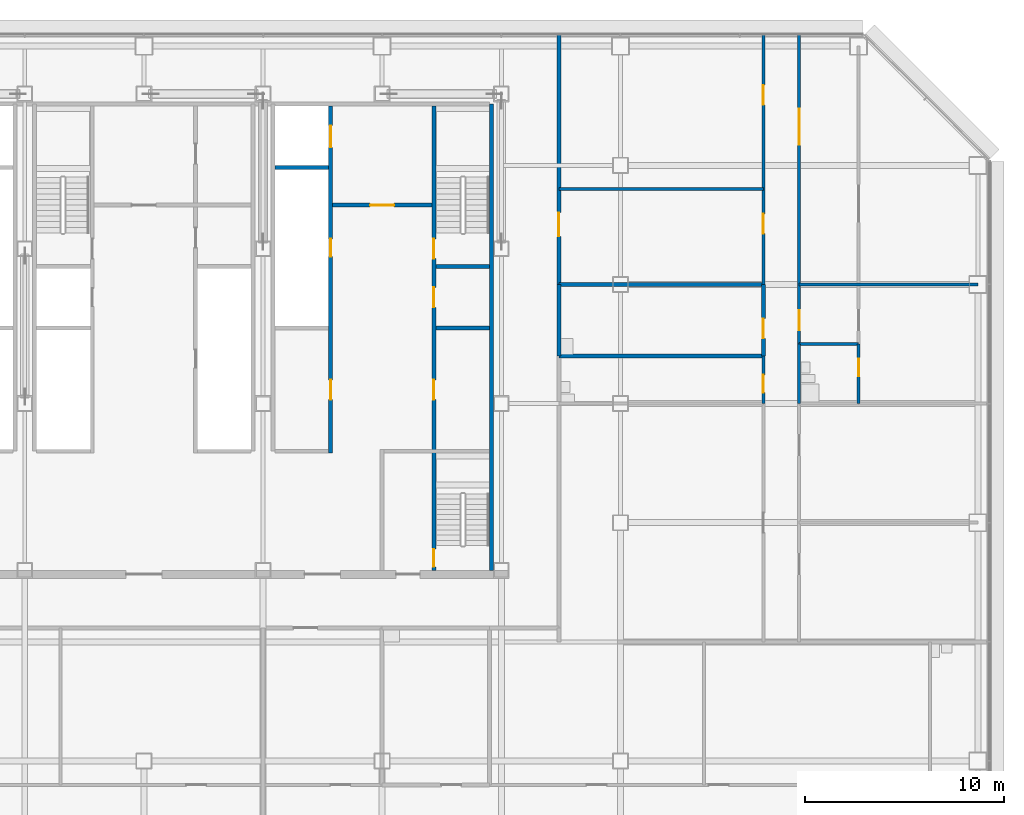
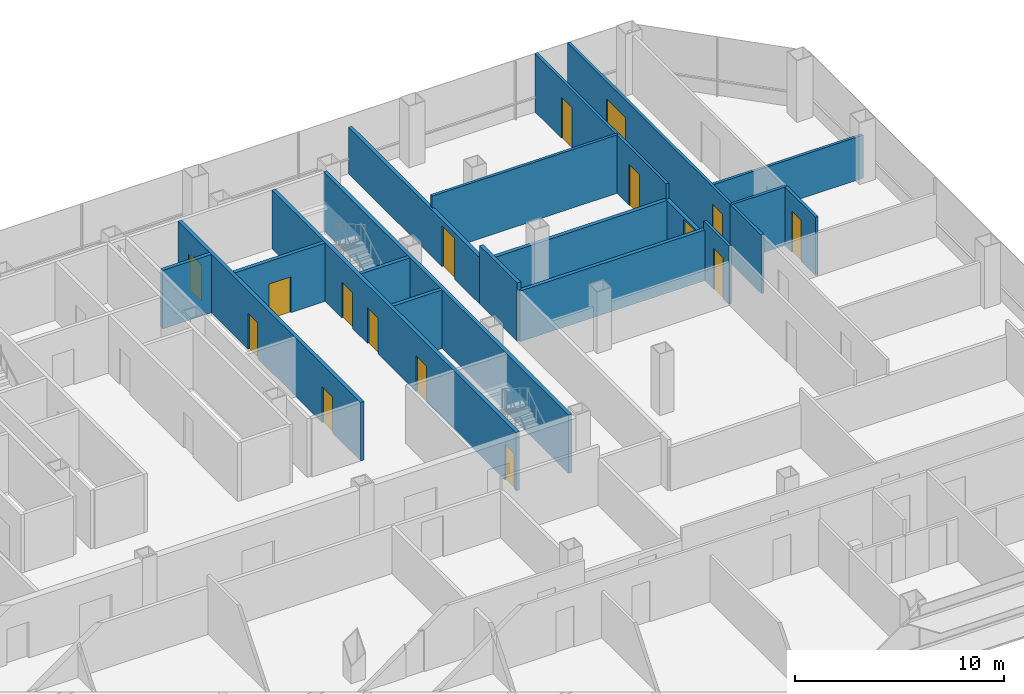
# One storey, part 23 of 27: 20 walls, 16 doors, 16 openings.
"""IFC4 building model written with IfcOpenShell, lengths in metres."""

from ifc_helpers import new_model, si_unit, direction, frame, frame_2d, origin, place, context, subcontext, project, spatial, rectangle, extrude, material, layer, layer_set, type_object, element, fill, save


model = new_model("IFC4")

# Units and contexts
model_context = context("Model", 3, precision=1e-05, world=origin(), true_north=direction((0.0, 1.0)))
body_context = subcontext(model_context, "Body", "Model", "MODEL_VIEW")
ifc_project = project(units=[si_unit("LENGTHUNIT", "METRE"), si_unit("AREAUNIT", "SQUARE_METRE"), si_unit("VOLUMEUNIT", "CUBIC_METRE"), si_unit("PLANEANGLEUNIT", "RADIAN"), si_unit("MASSUNIT", "GRAM", prefix="KILO")], contexts=[model_context])

# Site, building, storey
site_placement = place(None, origin())
site = spatial("IfcSite", under=ifc_project, at=site_placement, CompositionType="ELEMENT")
building_placement = place(site_placement, origin())
building = spatial("IfcBuilding", under=site, at=building_placement, Name="Sorahane Residences", CompositionType="ELEMENT")
storey_placement = place(building_placement, frame((0.0, 0.0, 78.60009765625)))
storey = spatial("IfcBuildingStorey", under=building, at=storey_placement, Name="L16", CompositionType="ELEMENT", Elevation=78.60009765625)

# Wall
ifc_material_1 = material(Name="Concrete C30", Category="concrete")
ifc_layer_1 = layer(ifc_material_1, 0.199951171875)
ifc_layer_set_1 = layer_set([ifc_layer_1], Name="Core face wall 200 EI 180")
wall_type_1 = type_object("IfcWallType", Name="Core face wall 200 EI 180", PredefinedType="SOLIDWALL", material=ifc_layer_set_1)
wall_1_placement = place(storey_placement, frame((41.5, 21.60009765625, 0.0), z_axis=(0.0, 0.0, 1.0), x_axis=(0.0, 1.0, 0.0)))
element("IfcWall", 1, at=wall_1_placement, inside=storey, type_object=wall_type_1, Name="L16 core face wall", PredefinedType="SOLIDWALL", context=body_context, shape_type="SweptSolid", body=[
    extrude(rectangle(XDim=23.5, YDim=0.199951171875, at=frame_2d((11.75, 0.0))), origin(), (0.0, 0.0, 1.0), 3.419921875),
])

# Wall, opening, door
ifc_material_2 = material(Name="Concrete blockwork C20 wall", Category="masonry")
ifc_layer_2 = layer(ifc_material_2, 0.199951171875)
ifc_layer_set_2 = layer_set([ifc_layer_2], Name="Corridor wall 200 EI 120")
wall_type_2 = type_object("IfcWallType", Name="Corridor wall 200 EI 120", PredefinedType="SOLIDWALL", material=ifc_layer_set_2)
wall_2_placement = place(storey_placement, frame((44.89990234375, 36.0, 0.0), z_axis=(0.0, 0.0, 1.0), x_axis=(0.0, 1.0, 0.0)))
wall_2 = element("IfcWall", 2, at=wall_2_placement, inside=storey, type_object=wall_type_2, Name="L16 corridor wall", PredefinedType="SOLIDWALL", context=body_context, shape_type="SweptSolid", body=[
    extrude(rectangle(XDim=12.60009765625, YDim=0.199951171875, at=frame_2d((6.300048828125, 0.0))), origin(), (0.0, 0.0, 1.0), 2.719970703125),
])
opening_1_placement = place(wall_2_placement, frame((2.419921875, 0.0, 0.0)))
opening_1 = element("IfcOpeningElement", 3, at=opening_1_placement, cuts=wall_2, Name="Opening L16-40", PredefinedType="OPENING", context=body_context, shape_type="SweptSolid", body=[
    extrude(rectangle(XDim=1.199951171875, YDim=2.39990234375, at=frame_2d((0.60009765625, 1.199951171875))), frame((0.0, 0.10986328125, 0.0), z_axis=(0.0, -1.0, 0.0), x_axis=(1.0, 0.0, 0.0)), (0.0, 0.0, 1.0), 0.219970703125),
])
ifc_material_3 = material(Name="Timber veneered fire door", Category="wood")
door_type_1 = type_object("IfcDoorType", Name="Flat entrance door 1200x2400 FD60", OperationType="NOTDEFINED", PredefinedType="DOOR", material=ifc_material_3)
door_1_placement = place(opening_1_placement, frame((1.199951171875, 0.0, 0.0), z_axis=(0.0, 0.0, 1.0), x_axis=(-1.0, 0.0, 0.0)))
door_1 = element("IfcDoor", 4, at=door_1_placement, inside=storey, type_object=door_type_1, Name="Flat entrance door L16-40", OperationType="SINGLE_SWING_LEFT", OverallHeight=2.39990234375, OverallWidth=1.199951171875, PredefinedType="DOOR", context=body_context, shape_type="SweptSolid", body=[
    extrude(rectangle(XDim=1.199951171875, YDim=2.39990234375, at=frame_2d((0.60009765625, 1.199951171875))), frame((0.0, 0.02490234375, 0.0), z_axis=(0.0, -1.0, 0.0), x_axis=(1.0, 0.0, 0.0)), (0.0, 0.0, 1.0), 0.050048828125),
])
fill(opening_1, door_1)

ifc_material_4 = material(Name="Concrete C30", Category="concrete")
ifc_layer_3 = layer(ifc_material_4, 0.199951171875)
ifc_layer_set_3 = layer_set([ifc_layer_3], Name="Front room wall 200 EI 120")
wall_type_3 = type_object("IfcWallType", Name="Front room wall 200 EI 120", PredefinedType="PARTITIONING", material=ifc_layer_set_3)
wall_3_placement = place(storey_placement, frame((33.5, 40.0, 0.0), z_axis=(0.0, 0.0, 1.0), x_axis=(1.0, 0.0, 0.0)))
wall_3 = element("IfcWall", 5, at=wall_3_placement, inside=storey, type_object=wall_type_3, Name="L16 front room wall", PredefinedType="PARTITIONING", context=body_context, shape_type="SweptSolid", body=[
    extrude(rectangle(XDim=5.0, YDim=0.199951171875, at=frame_2d((2.5, 0.0))), origin(), (0.0, 0.0, 1.0), 3.419921875),
])
opening_2_placement = place(wall_3_placement, frame((1.89990234375, 0.0, 0.0)))
opening_2 = element("IfcOpeningElement", 6, at=opening_2_placement, cuts=wall_3, Name="Opening L16-C08", PredefinedType="OPENING", context=body_context, shape_type="SweptSolid", body=[
    extrude(rectangle(XDim=1.199951171875, YDim=2.10009765625, at=frame_2d((0.60009765625, 1.050048828125))), frame((0.0, 0.10986328125, 0.0), z_axis=(0.0, -1.0, 0.0), x_axis=(1.0, 0.0, 0.0)), (0.0, 0.0, 1.0), 0.219970703125),
])
ifc_material_5 = material(Name="Steel", Category="steel")
door_type_2 = type_object("IfcDoorType", Name="Front room door 1200x2100 FD120", OperationType="NOTDEFINED", PredefinedType="DOOR", material=ifc_material_5)
door_2_placement = place(opening_2_placement, frame((1.199951171875, 0.0, 0.0), z_axis=(0.0, 0.0, 1.0), x_axis=(-1.0, 0.0, 0.0)))
door_2 = element("IfcDoor", 7, at=door_2_placement, inside=storey, type_object=door_type_2, Name="Front room door Firefighting lobby FF2 front room L16", OperationType="DOUBLE_DOOR_SINGLE_SWING", OverallHeight=2.10009765625, OverallWidth=1.199951171875, PredefinedType="DOOR", context=body_context, shape_type="SweptSolid", body=[
    extrude(rectangle(XDim=1.199951171875, YDim=2.10009765625, at=frame_2d((0.60009765625, 1.050048828125))), frame((0.0, 0.02490234375, 0.0), z_axis=(0.0, -1.0, 0.0), x_axis=(1.0, 0.0, 0.0)), (0.0, 0.0, 1.0), 0.050048828125),
])
fill(opening_2, door_2)

# Wall
ifc_material_6 = material(Name="Concrete blockwork C20 wall", Category="masonry")
ifc_layer_4 = layer(ifc_material_6, 0.199951171875)
ifc_layer_set_4 = layer_set([ifc_layer_4], Name="Kitchen wall 200 EI 180")
wall_type_4 = type_object("IfcWallType", Name="Kitchen wall 200 EI 180", PredefinedType="SOLIDWALL", material=ifc_layer_set_4)
wall_4_placement = place(storey_placement, frame((44.89990234375, 32.39990234375, 0.0), z_axis=(0.0, 0.0, 1.0), x_axis=(0.0, 1.0, 0.0)))
element("IfcWall", 8, at=wall_4_placement, inside=storey, type_object=wall_type_4, Name="L16 kitchen wall", PredefinedType="SOLIDWALL", context=body_context, shape_type="SweptSolid", body=[
    extrude(rectangle(XDim=3.60009765625, YDim=0.199951171875, at=frame_2d((1.800048828125, 0.0))), origin(), (0.0, 0.0, 1.0), 3.419921875),
])

# Wall, opening, door
wall_5_placement = place(storey_placement, frame((55.199951171875, 32.39990234375, 0.0), z_axis=(0.0, 0.0, 1.0), x_axis=(0.0, 1.0, 0.0)))
wall_5 = element("IfcWall", 9, at=wall_5_placement, inside=storey, type_object=wall_type_4, Name="L16 kitchen wall", PredefinedType="SOLIDWALL", context=body_context, shape_type="SweptSolid", body=[
    extrude(rectangle(XDim=3.60009765625, YDim=0.199951171875, at=frame_2d((1.800048828125, 0.0))), origin(), (0.0, 0.0, 1.0), 2.52001953125),
])
opening_3_placement = place(wall_5_placement, frame((0.8798828125, 0.0, 0.0)))
opening_3 = element("IfcOpeningElement", 10, at=opening_3_placement, cuts=wall_5, Name="Opening L16-29", PredefinedType="OPENING", context=body_context, shape_type="SweptSolid", body=[
    extrude(rectangle(XDim=1.0, YDim=2.39990234375, at=frame_2d((0.5, 1.199951171875))), frame((0.0, 0.10986328125, 0.0), z_axis=(0.0, -1.0, 0.0), x_axis=(1.0, 0.0, 0.0)), (0.0, 0.0, 1.0), 0.219970703125),
])
ifc_material_7 = material(Name="Steel", Category="steel")
door_type_3 = type_object("IfcDoorType", Name="Kitchen door 1000x2400 FD120", OperationType="NOTDEFINED", PredefinedType="DOOR", material=ifc_material_7)
door_3_placement = place(opening_3_placement, origin())
door_3 = element("IfcDoor", 11, at=door_3_placement, inside=storey, type_object=door_type_3, Name="Kitchen door L16-29", OperationType="SINGLE_SWING_RIGHT", OverallHeight=2.39990234375, OverallWidth=1.0, PredefinedType="DOOR", context=body_context, shape_type="SweptSolid", body=[
    extrude(rectangle(XDim=1.0, YDim=2.39990234375, at=frame_2d((0.5, 1.199951171875))), frame((0.0, 0.02490234375, 0.0), z_axis=(0.0, -1.0, 0.0), x_axis=(1.0, 0.0, 0.0)), (0.0, 0.0, 1.0), 0.050048828125),
])
fill(opening_3, door_3)

# Walls
wall_6_placement = place(storey_placement, frame((44.89990234375, 32.39990234375, 0.0), z_axis=(0.0, 0.0, 1.0), x_axis=(1.0, 0.0, 0.0)))
element("IfcWall", 12, at=wall_6_placement, inside=storey, type_object=wall_type_4, Name="L16 kitchen wall", PredefinedType="SOLIDWALL", context=body_context, shape_type="SweptSolid", body=[
    extrude(rectangle(XDim=10.300048828125, YDim=0.199951171875, at=frame_2d((5.14990234375, 0.0))), origin(), (0.0, 0.0, 1.0), 2.969970703125),
])
wall_7_placement = place(storey_placement, frame((44.89990234375, 36.0, 0.0), z_axis=(0.0, 0.0, 1.0), x_axis=(1.0, 0.0, 0.0)))
element("IfcWall", 13, at=wall_7_placement, inside=storey, type_object=wall_type_4, Name="L16 kitchen wall", PredefinedType="SOLIDWALL", context=body_context, shape_type="SweptSolid", body=[
    extrude(rectangle(XDim=10.300048828125, YDim=0.199951171875, at=frame_2d((5.14990234375, 0.0))), origin(), (0.0, 0.0, 1.0), 2.52001953125),
])

# Wall, openings, doors
ifc_material_8 = material(Name="Concrete C30", Category="concrete")
ifc_layer_5 = layer(ifc_material_8, 0.199951171875)
ifc_layer_set_5 = layer_set([ifc_layer_5], Name="Lift shaft wall 200 EI 120")
wall_type_5 = type_object("IfcWallType", Name="Lift shaft wall 200 EI 120", PredefinedType="SOLIDWALL", material=ifc_layer_set_5)
wall_8_placement = place(storey_placement, frame((33.39990234375, 27.5, 0.0), z_axis=(0.0, 0.0, 1.0), x_axis=(0.0, 1.0, 0.0)))
wall_8 = element("IfcWall", 14, at=wall_8_placement, inside=storey, type_object=wall_type_5, Name="L16 lift shaft wall", PredefinedType="SOLIDWALL", context=body_context, shape_type="SweptSolid", body=[
    extrude(rectangle(XDim=17.5, YDim=0.199951171875, at=frame_2d((8.75, 0.0))), origin(), (0.0, 0.0, 1.0), 3.419921875),
])
opening_4_placement = place(wall_8_placement, frame((15.39990234375, 0.0, 0.0)))
opening_4 = element("IfcOpeningElement", 15, at=opening_4_placement, cuts=wall_8, Name="Opening L16-C09", PredefinedType="OPENING", context=body_context, shape_type="SweptSolid", body=[
    extrude(rectangle(XDim=1.10009765625, YDim=2.10009765625, at=frame_2d((0.550048828125, 1.050048828125))), frame((0.0, 0.10986328125, 0.0), z_axis=(0.0, -1.0, 0.0), x_axis=(1.0, 0.0, 0.0)), (0.0, 0.0, 1.0), 0.219970703125),
])
opening_5_placement = place(wall_8_placement, frame((2.699951171875, 0.0, 0.0)))
opening_5 = element("IfcOpeningElement", 16, at=opening_5_placement, cuts=wall_8, Name="Opening L16-C18", PredefinedType="OPENING", context=body_context, shape_type="SweptSolid", body=[
    extrude(rectangle(XDim=1.0, YDim=2.10009765625, at=frame_2d((0.5, 1.050048828125))), frame((0.0, 0.10986328125, 0.0), z_axis=(0.0, -1.0, 0.0), x_axis=(1.0, 0.0, 0.0)), (0.0, 0.0, 1.0), 0.219970703125),
])
opening_6_placement = place(wall_8_placement, frame((9.89990234375, 0.0, 0.0)))
opening_6 = element("IfcOpeningElement", 17, at=opening_6_placement, cuts=wall_8, Name="Opening L16-C25", PredefinedType="OPENING", context=body_context, shape_type="SweptSolid", body=[
    extrude(rectangle(XDim=0.89990234375, YDim=2.10009765625, at=frame_2d((0.449951171875, 1.050048828125))), frame((0.0, 0.10986328125, 0.0), z_axis=(0.0, -1.0, 0.0), x_axis=(1.0, 0.0, 0.0)), (0.0, 0.0, 1.0), 0.219970703125),
])
ifc_material_9 = material(Name="Aluminium and stainless steel", Category="steel")
door_type_4 = type_object("IfcDoorType", Name="Lift landing door 1100x2100 E 60", OperationType="NOTDEFINED", PredefinedType="DOOR", material=ifc_material_9)
door_4_placement = place(opening_4_placement, origin())
door_4 = element("IfcDoor", 18, at=door_4_placement, inside=storey, type_object=door_type_4, Name="Lift landing door FF2 L16", OperationType="DOUBLE_DOOR_SLIDING", OverallHeight=2.10009765625, OverallWidth=1.10009765625, PredefinedType="DOOR", context=body_context, shape_type="SweptSolid", body=[
    extrude(rectangle(XDim=1.10009765625, YDim=2.10009765625, at=frame_2d((0.550048828125, 1.050048828125))), frame((0.0, 0.02490234375, 0.0), z_axis=(0.0, -1.0, 0.0), x_axis=(1.0, 0.0, 0.0)), (0.0, 0.0, 1.0), 0.050048828125),
])
fill(opening_4, door_4)
ifc_material_10 = material(Name="Steel", Category="steel")
door_type_5 = type_object("IfcDoorType", Name="Riser door 900x2100 FD120", OperationType="NOTDEFINED", PredefinedType="DOOR", material=ifc_material_10)
door_5_placement = place(opening_6_placement, frame((0.89990234375, 0.0, 0.0), z_axis=(0.0, 0.0, 1.0), x_axis=(-1.0, 0.0, 0.0)))
door_5 = element("IfcDoor", 19, at=door_5_placement, inside=storey, type_object=door_type_5, Name="Riser door R2 L16", OperationType="SINGLE_SWING_LEFT", OverallHeight=2.10009765625, OverallWidth=0.89990234375, PredefinedType="DOOR", context=body_context, shape_type="SweptSolid", body=[
    extrude(rectangle(XDim=0.89990234375, YDim=2.10009765625, at=frame_2d((0.449951171875, 1.050048828125))), frame((0.0, 0.02490234375, 0.0), z_axis=(0.0, -1.0, 0.0), x_axis=(1.0, 0.0, 0.0)), (0.0, 0.0, 1.0), 0.050048828125),
])
fill(opening_6, door_5)
ifc_material_11 = material(Name="Steel", Category="steel")
door_type_6 = type_object("IfcDoorType", Name="Service room door 1000x2100 FD60", OperationType="NOTDEFINED", PredefinedType="DOOR", material=ifc_material_11)
door_6_placement = place(opening_5_placement, origin())
door_6 = element("IfcDoor", 20, at=door_6_placement, inside=storey, type_object=door_type_6, Name="Service room door Library L16", OperationType="SINGLE_SWING_RIGHT", OverallHeight=2.10009765625, OverallWidth=1.0, PredefinedType="DOOR", context=body_context, shape_type="SweptSolid", body=[
    extrude(rectangle(XDim=1.0, YDim=2.10009765625, at=frame_2d((0.5, 1.050048828125))), frame((0.0, 0.02490234375, 0.0), z_axis=(0.0, -1.0, 0.0), x_axis=(1.0, 0.0, 0.0)), (0.0, 0.0, 1.0), 0.050048828125),
])
fill(opening_5, door_6)

# Wall
wall_9_placement = place(storey_placement, frame((30.60009765625, 41.89990234375, 0.0), z_axis=(0.0, 0.0, 1.0), x_axis=(1.0, 0.0, 0.0)))
element("IfcWall", 21, at=wall_9_placement, inside=storey, type_object=wall_type_5, Name="L16 lift shaft wall", PredefinedType="SOLIDWALL", context=body_context, shape_type="SweptSolid", body=[
    extrude(rectangle(XDim=2.699951171875, YDim=0.199951171875, at=frame_2d((1.35009765625, 0.0))), origin(), (0.0, 0.0, 1.0), 3.419921875),
])

# Wall, openings, doors
ifc_material_12 = material(Name="Gypsum board partition on steel studs", Category="steel")
ifc_layer_6 = layer(ifc_material_12, 0.14990234375)
ifc_layer_set_6 = layer_set([ifc_layer_6], Name="Partition 150 EI 90")
wall_type_6 = type_object("IfcWallType", Name="Partition 150 EI 90", PredefinedType="PARTITIONING", material=ifc_layer_set_6)
wall_10_placement = place(storey_placement, frame((55.199951171875, 36.0, 0.0), z_axis=(0.0, 0.0, 1.0), x_axis=(0.0, 1.0, 0.0)))
wall_10 = element("IfcWall", 22, at=wall_10_placement, inside=storey, type_object=wall_type_6, Name="L16 partition", PredefinedType="PARTITIONING", context=body_context, shape_type="SweptSolid", body=[
    extrude(rectangle(XDim=12.60009765625, YDim=0.14990234375, at=frame_2d((6.300048828125, 0.0))), origin(), (0.0, 0.0, 1.0), 3.419921875),
])
opening_7_placement = place(wall_10_placement, frame((2.56005859375, 0.0, 0.0)))
opening_7 = element("IfcOpeningElement", 23, at=opening_7_placement, cuts=wall_10, Name="Opening L16-26", PredefinedType="OPENING", context=body_context, shape_type="SweptSolid", body=[
    extrude(rectangle(XDim=1.0, YDim=2.39990234375, at=frame_2d((0.5, 1.199951171875))), frame((0.0, 0.0849609375, 0.0), z_axis=(0.0, -1.0, 0.0), x_axis=(1.0, 0.0, 0.0)), (0.0, 0.0, 1.0), 0.169921875),
])
opening_8_placement = place(wall_10_placement, frame((9.0400390625, 0.0, 0.0)))
opening_8 = element("IfcOpeningElement", 24, at=opening_8_placement, cuts=wall_10, Name="Opening L16-30", PredefinedType="OPENING", context=body_context, shape_type="SweptSolid", body=[
    extrude(rectangle(XDim=1.0, YDim=2.39990234375, at=frame_2d((0.5, 1.199951171875))), frame((0.0, 0.0849609375, 0.0), z_axis=(0.0, -1.0, 0.0), x_axis=(1.0, 0.0, 0.0)), (0.0, 0.0, 1.0), 0.169921875),
])
ifc_material_13 = material(Name="Timber veneered fire door", Category="wood")
door_type_7 = type_object("IfcDoorType", Name="Room door 1000x2400 FD30", OperationType="NOTDEFINED", PredefinedType="DOOR", material=ifc_material_13)
door_7_placement = place(opening_7_placement, frame((1.0, 0.0, 0.0), z_axis=(0.0, 0.0, 1.0), x_axis=(-1.0, 0.0, 0.0)))
door_7 = element("IfcDoor", 25, at=door_7_placement, inside=storey, type_object=door_type_7, Name="Room door L16-26", OperationType="SINGLE_SWING_LEFT", OverallHeight=2.39990234375, OverallWidth=1.0, PredefinedType="DOOR", context=body_context, shape_type="SweptSolid", body=[
    extrude(rectangle(XDim=1.0, YDim=2.39990234375, at=frame_2d((0.5, 1.199951171875))), frame((0.0, 0.02490234375, 0.0), z_axis=(0.0, -1.0, 0.0), x_axis=(1.0, 0.0, 0.0)), (0.0, 0.0, 1.0), 0.050048828125),
])
fill(opening_7, door_7)
door_8_placement = place(opening_8_placement, origin())
door_8 = element("IfcDoor", 26, at=door_8_placement, inside=storey, type_object=door_type_7, Name="Room door L16-30", OperationType="SINGLE_SWING_LEFT", OverallHeight=2.39990234375, OverallWidth=1.0, PredefinedType="DOOR", context=body_context, shape_type="SweptSolid", body=[
    extrude(rectangle(XDim=1.0, YDim=2.39990234375, at=frame_2d((0.5, 1.199951171875))), frame((0.0, 0.02490234375, 0.0), z_axis=(0.0, -1.0, 0.0), x_axis=(1.0, 0.0, 0.0)), (0.0, 0.0, 1.0), 0.050048828125),
])
fill(opening_8, door_8)

wall_11_placement = place(storey_placement, frame((57.0, 33.0, 0.0), z_axis=(0.0, 0.0, 1.0), x_axis=(0.0, 1.0, 0.0)))
wall_11 = element("IfcWall", 27, at=wall_11_placement, inside=storey, type_object=wall_type_6, Name="L16 partition", PredefinedType="PARTITIONING", context=body_context, shape_type="SweptSolid", body=[
    extrude(rectangle(XDim=15.60009765625, YDim=0.14990234375, at=frame_2d((7.800048828125, 0.0))), origin(), (0.0, 0.0, 1.0), 3.419921875),
])
opening_9_placement = place(wall_11_placement, frame((0.699951171875, 0.0, 0.0)))
opening_9 = element("IfcOpeningElement", 28, at=opening_9_placement, cuts=wall_11, Name="Opening L16-33", PredefinedType="OPENING", context=body_context, shape_type="SweptSolid", body=[
    extrude(rectangle(XDim=1.0, YDim=2.39990234375, at=frame_2d((0.5, 1.199951171875))), frame((0.0, 0.0849609375, 0.0), z_axis=(0.0, -1.0, 0.0), x_axis=(1.0, 0.0, 0.0)), (0.0, 0.0, 1.0), 0.169921875),
])
opening_10_placement = place(wall_11_placement, frame((10.0400390625, 0.0, 0.0)))
opening_10 = element("IfcOpeningElement", 29, at=opening_10_placement, cuts=wall_11, Name="Opening L16-34", PredefinedType="OPENING", context=body_context, shape_type="SweptSolid", body=[
    extrude(rectangle(XDim=1.800048828125, YDim=2.39990234375, at=frame_2d((0.89990234375, 1.199951171875))), frame((0.0, 0.0849609375, 0.0), z_axis=(0.0, -1.0, 0.0), x_axis=(1.0, 0.0, 0.0)), (0.0, 0.0, 1.0), 0.169921875),
])
ifc_material_14 = material(Name="Timber veneered fire door", Category="wood")
door_type_8 = type_object("IfcDoorType", Name="Double door 1800x2400 FD30", OperationType="NOTDEFINED", PredefinedType="DOOR", material=ifc_material_14)
door_9_placement = place(opening_10_placement, frame((1.800048828125, 0.0, 0.0), z_axis=(0.0, 0.0, 1.0), x_axis=(-1.0, 0.0, 0.0)))
door_9 = element("IfcDoor", 30, at=door_9_placement, inside=storey, type_object=door_type_8, Name="Double door L16-34", OperationType="SINGLE_SWING_LEFT", OverallHeight=2.39990234375, OverallWidth=1.800048828125, PredefinedType="DOOR", context=body_context, shape_type="SweptSolid", body=[
    extrude(rectangle(XDim=1.800048828125, YDim=2.39990234375, at=frame_2d((0.89990234375, 1.199951171875))), frame((0.0, 0.02490234375, 0.0), z_axis=(0.0, -1.0, 0.0), x_axis=(1.0, 0.0, 0.0)), (0.0, 0.0, 1.0), 0.050048828125),
])
fill(opening_10, door_9)
door_10_placement = place(opening_9_placement, frame((1.0, 0.0, 0.0), z_axis=(0.0, 0.0, 1.0), x_axis=(-1.0, 0.0, 0.0)))
door_10 = element("IfcDoor", 31, at=door_10_placement, inside=storey, type_object=door_type_7, Name="Room door L16-33", OperationType="SINGLE_SWING_RIGHT", OverallHeight=2.39990234375, OverallWidth=1.0, PredefinedType="DOOR", context=body_context, shape_type="SweptSolid", body=[
    extrude(rectangle(XDim=1.0, YDim=2.39990234375, at=frame_2d((0.5, 1.199951171875))), frame((0.0, 0.02490234375, 0.0), z_axis=(0.0, -1.0, 0.0), x_axis=(1.0, 0.0, 0.0)), (0.0, 0.0, 1.0), 0.050048828125),
])
fill(opening_9, door_10)

# Walls
wall_12_placement = place(storey_placement, frame((57.0, 36.0, 0.0), z_axis=(0.0, 0.0, 1.0), x_axis=(1.0, 0.0, 0.0)))
element("IfcWall", 32, at=wall_12_placement, inside=storey, type_object=wall_type_6, Name="L16 partition", PredefinedType="PARTITIONING", context=body_context, shape_type="SweptSolid", body=[
    extrude(rectangle(XDim=9.0, YDim=0.14990234375, at=frame_2d((4.5, 0.0))), origin(), (0.0, 0.0, 1.0), 2.52001953125),
])
wall_13_placement = place(storey_placement, frame((44.89990234375, 40.800048828125, 0.0), z_axis=(0.0, 0.0, 1.0), x_axis=(1.0, 0.0, 0.0)))
element("IfcWall", 33, at=wall_13_placement, inside=storey, type_object=wall_type_6, Name="L16 partition", PredefinedType="PARTITIONING", context=body_context, shape_type="SweptSolid", body=[
    extrude(rectangle(XDim=10.300048828125, YDim=0.14990234375, at=frame_2d((5.14990234375, 0.0))), origin(), (0.0, 0.0, 1.0), 3.419921875),
])
ifc_material_15 = material(Name="Concrete C30", Category="concrete")
ifc_layer_7 = layer(ifc_material_15, 0.199951171875)
ifc_layer_set_7 = layer_set([ifc_layer_7], Name="Service room partition 200 EI 60")
wall_type_7 = type_object("IfcWallType", Name="Service room partition 200 EI 60", PredefinedType="PARTITIONING", material=ifc_layer_set_7)
wall_14_placement = place(storey_placement, frame((38.699951171875, 33.800048828125, 0.0), z_axis=(0.0, 0.0, 1.0), x_axis=(1.0, 0.0, 0.0)))
element("IfcWall", 34, at=wall_14_placement, inside=storey, type_object=wall_type_7, Name="L16 service room wall", PredefinedType="PARTITIONING", context=body_context, shape_type="SweptSolid", body=[
    extrude(rectangle(XDim=2.699951171875, YDim=0.199951171875, at=frame_2d((1.35009765625, 0.0))), origin(), (0.0, 0.0, 1.0), 3.419921875),
])

# Wall, openings, doors
ifc_material_16 = material(Name="Concrete C30", Category="concrete")
ifc_layer_8 = layer(ifc_material_16, 0.199951171875)
ifc_layer_set_8 = layer_set([ifc_layer_8], Name="Stair enclosure wall 200 EI 120")
wall_type_8 = type_object("IfcWallType", Name="Stair enclosure wall 200 EI 120", PredefinedType="SOLIDWALL", material=ifc_layer_set_8)
wall_15_placement = place(storey_placement, frame((38.60009765625, 21.60009765625, 0.0), z_axis=(0.0, 0.0, 1.0), x_axis=(0.0, 1.0, 0.0)))
wall_15 = element("IfcWall", 35, at=wall_15_placement, inside=storey, type_object=wall_type_8, Name="L16 stair enclosure wall", PredefinedType="SOLIDWALL", context=body_context, shape_type="SweptSolid", body=[
    extrude(rectangle(XDim=23.39990234375, YDim=0.199951171875, at=frame_2d((11.699951171875, 0.0))), origin(), (0.0, 0.0, 1.0), 3.419921875),
])
opening_11_placement = place(wall_15_placement, frame((8.60009765625, 0.0, 0.0)))
opening_11 = element("IfcOpeningElement", 36, at=opening_11_placement, cuts=wall_15, Name="Opening L16-C16", PredefinedType="OPENING", context=body_context, shape_type="SweptSolid", body=[
    extrude(rectangle(XDim=1.0, YDim=2.10009765625, at=frame_2d((0.5, 1.050048828125))), frame((0.0, 0.10986328125, 0.0), z_axis=(0.0, -1.0, 0.0), x_axis=(1.0, 0.0, 0.0)), (0.0, 0.0, 1.0), 0.219970703125),
])
opening_12_placement = place(wall_15_placement, frame((13.25, 0.0, 0.0)))
opening_12 = element("IfcOpeningElement", 37, at=opening_12_placement, cuts=wall_15, Name="Opening L16-C17", PredefinedType="OPENING", context=body_context, shape_type="SweptSolid", body=[
    extrude(rectangle(XDim=1.0, YDim=2.10009765625, at=frame_2d((0.5, 1.050048828125))), frame((0.0, 0.10986328125, 0.0), z_axis=(0.0, -1.0, 0.0), x_axis=(1.0, 0.0, 0.0)), (0.0, 0.0, 1.0), 0.219970703125),
])
opening_13_placement = place(wall_15_placement, frame((15.699951171875, 0.0, 0.0)))
opening_13 = element("IfcOpeningElement", 38, at=opening_13_placement, cuts=wall_15, Name="Opening L16-C20", PredefinedType="OPENING", context=body_context, shape_type="SweptSolid", body=[
    extrude(rectangle(XDim=1.0, YDim=2.10009765625, at=frame_2d((0.5, 1.050048828125))), frame((0.0, 0.10986328125, 0.0), z_axis=(0.0, -1.0, 0.0), x_axis=(1.0, 0.0, 0.0)), (0.0, 0.0, 1.0), 0.219970703125),
])
opening_14_placement = place(wall_15_placement, frame((0.175048828125, 0.0, 0.0)))
opening_14 = element("IfcOpeningElement", 39, at=opening_14_placement, cuts=wall_15, Name="Opening L16-C23", PredefinedType="OPENING", context=body_context, shape_type="SweptSolid", body=[
    extrude(rectangle(XDim=0.89990234375, YDim=2.10009765625, at=frame_2d((0.449951171875, 1.050048828125))), frame((0.0, 0.10986328125, 0.0), z_axis=(0.0, -1.0, 0.0), x_axis=(1.0, 0.0, 0.0)), (0.0, 0.0, 1.0), 0.219970703125),
])
door_11_placement = place(opening_11_placement, frame((1.0, 0.0, 0.0), z_axis=(0.0, 0.0, 1.0), x_axis=(-1.0, 0.0, 0.0)))
door_11 = element("IfcDoor", 40, at=door_11_placement, inside=storey, type_object=door_type_6, Name="Service room door Library L16", OperationType="SINGLE_SWING_RIGHT", OverallHeight=2.10009765625, OverallWidth=1.0, PredefinedType="DOOR", context=body_context, shape_type="SweptSolid", body=[
    extrude(rectangle(XDim=1.0, YDim=2.10009765625, at=frame_2d((0.5, 1.050048828125))), frame((0.0, 0.02490234375, 0.0), z_axis=(0.0, -1.0, 0.0), x_axis=(1.0, 0.0, 0.0)), (0.0, 0.0, 1.0), 0.050048828125),
])
fill(opening_11, door_11)
door_12_placement = place(opening_12_placement, frame((1.0, 0.0, 0.0), z_axis=(0.0, 0.0, 1.0), x_axis=(-1.0, 0.0, 0.0)))
door_12 = element("IfcDoor", 41, at=door_12_placement, inside=storey, type_object=door_type_6, Name="Service room door Library L16", OperationType="SINGLE_SWING_LEFT", OverallHeight=2.10009765625, OverallWidth=1.0, PredefinedType="DOOR", context=body_context, shape_type="SweptSolid", body=[
    extrude(rectangle(XDim=1.0, YDim=2.10009765625, at=frame_2d((0.5, 1.050048828125))), frame((0.0, 0.02490234375, 0.0), z_axis=(0.0, -1.0, 0.0), x_axis=(1.0, 0.0, 0.0)), (0.0, 0.0, 1.0), 0.050048828125),
])
fill(opening_12, door_12)
ifc_material_17 = material(Name="Steel", Category="steel")
door_type_9 = type_object("IfcDoorType", Name="Stair door 1000x2100 FD120", OperationType="NOTDEFINED", PredefinedType="DOOR", material=ifc_material_17)
door_13_placement = place(opening_13_placement, frame((1.0, 0.0, 0.0), z_axis=(0.0, 0.0, 1.0), x_axis=(-1.0, 0.0, 0.0)))
door_13 = element("IfcDoor", 42, at=door_13_placement, inside=storey, type_object=door_type_9, Name="Stair door S2 L16", OperationType="SINGLE_SWING_LEFT", OverallHeight=2.10009765625, OverallWidth=1.0, PredefinedType="DOOR", context=body_context, shape_type="SweptSolid", body=[
    extrude(rectangle(XDim=1.0, YDim=2.10009765625, at=frame_2d((0.5, 1.050048828125))), frame((0.0, 0.02490234375, 0.0), z_axis=(0.0, -1.0, 0.0), x_axis=(1.0, 0.0, 0.0)), (0.0, 0.0, 1.0), 0.050048828125),
])
fill(opening_13, door_13)
ifc_material_18 = material(Name="Steel", Category="steel")
door_type_10 = type_object("IfcDoorType", Name="Stair door 900x2100 FD120", OperationType="NOTDEFINED", PredefinedType="DOOR", material=ifc_material_18)
door_14_placement = place(opening_14_placement, frame((0.89990234375, 0.0, 0.0), z_axis=(0.0, 0.0, 1.0), x_axis=(-1.0, 0.0, 0.0)))
door_14 = element("IfcDoor", 43, at=door_14_placement, inside=storey, type_object=door_type_10, Name="Stair door S5 L16", OperationType="SINGLE_SWING_LEFT", OverallHeight=2.10009765625, OverallWidth=0.89990234375, PredefinedType="DOOR", context=body_context, shape_type="SweptSolid", body=[
    extrude(rectangle(XDim=0.89990234375, YDim=2.10009765625, at=frame_2d((0.449951171875, 1.050048828125))), frame((0.0, 0.02490234375, 0.0), z_axis=(0.0, -1.0, 0.0), x_axis=(1.0, 0.0, 0.0)), (0.0, 0.0, 1.0), 0.050048828125),
])
fill(opening_14, door_14)

# Wall
wall_16_placement = place(storey_placement, frame((38.699951171875, 36.89990234375, 0.0), z_axis=(0.0, 0.0, 1.0), x_axis=(1.0, 0.0, 0.0)))
element("IfcWall", 44, at=wall_16_placement, inside=storey, type_object=wall_type_8, Name="L16 stair enclosure wall", PredefinedType="SOLIDWALL", context=body_context, shape_type="SweptSolid", body=[
    extrude(rectangle(XDim=2.699951171875, YDim=0.199951171875, at=frame_2d((1.35009765625, 0.0))), origin(), (0.0, 0.0, 1.0), 3.419921875),
])

# Wall, opening, door
ifc_material_19 = material(Name="Gypsum board partition on steel studs", Category="steel")
ifc_layer_9 = layer(ifc_material_19, 0.14990234375)
ifc_layer_set_9 = layer_set([ifc_layer_9], Name="Wet wall 150 EI 90")
wall_type_9 = type_object("IfcWallType", Name="Wet wall 150 EI 90", PredefinedType="PARTITIONING", material=ifc_layer_set_9)
wall_17_placement = place(storey_placement, frame((55.199951171875, 30.0, 0.0), z_axis=(0.0, 0.0, 1.0), x_axis=(0.0, 1.0, 0.0)))
wall_17 = element("IfcWall", 45, at=wall_17_placement, inside=storey, type_object=wall_type_9, Name="L16 wet wall", PredefinedType="PARTITIONING", context=body_context, shape_type="SweptSolid", body=[
    extrude(rectangle(XDim=2.39990234375, YDim=0.14990234375, at=frame_2d((1.199951171875, 0.0))), origin(), (0.0, 0.0, 1.0), 3.419921875),
])
opening_15_placement = place(wall_17_placement, frame((0.550048828125, 0.0, 0.0)))
opening_15 = element("IfcOpeningElement", 46, at=opening_15_placement, cuts=wall_17, Name="Opening L16-28", PredefinedType="OPENING", context=body_context, shape_type="SweptSolid", body=[
    extrude(rectangle(XDim=0.89990234375, YDim=2.39990234375, at=frame_2d((0.449951171875, 1.199951171875))), frame((0.0, 0.0849609375, 0.0), z_axis=(0.0, -1.0, 0.0), x_axis=(1.0, 0.0, 0.0)), (0.0, 0.0, 1.0), 0.169921875),
])
ifc_material_20 = material(Name="Timber veneered fire door", Category="wood")
door_type_11 = type_object("IfcDoorType", Name="Bathroom door 900x2400 FD30", OperationType="NOTDEFINED", PredefinedType="DOOR", material=ifc_material_20)
door_15_placement = place(opening_15_placement, frame((0.89990234375, 0.0, 0.0), z_axis=(0.0, 0.0, 1.0), x_axis=(-1.0, 0.0, 0.0)))
door_15 = element("IfcDoor", 47, at=door_15_placement, inside=storey, type_object=door_type_11, Name="Bathroom door L16-28", OperationType="SINGLE_SWING_RIGHT", OverallHeight=2.39990234375, OverallWidth=0.89990234375, PredefinedType="DOOR", context=body_context, shape_type="SweptSolid", body=[
    extrude(rectangle(XDim=0.89990234375, YDim=2.39990234375, at=frame_2d((0.449951171875, 1.199951171875))), frame((0.0, 0.02490234375, 0.0), z_axis=(0.0, -1.0, 0.0), x_axis=(1.0, 0.0, 0.0)), (0.0, 0.0, 1.0), 0.050048828125),
])
fill(opening_15, door_15)

# Wall
wall_18_placement = place(storey_placement, frame((57.0, 30.0, 0.0), z_axis=(0.0, 0.0, 1.0), x_axis=(0.0, 1.0, 0.0)))
element("IfcWall", 48, at=wall_18_placement, inside=storey, type_object=wall_type_9, Name="L16 wet wall", PredefinedType="PARTITIONING", context=body_context, shape_type="SweptSolid", body=[
    extrude(rectangle(XDim=3.0, YDim=0.14990234375, at=frame_2d((1.5, 0.0))), origin(), (0.0, 0.0, 1.0), 3.419921875),
])

# Wall, opening, door
wall_19_placement = place(storey_placement, frame((60.0, 30.0, 0.0), z_axis=(0.0, 0.0, 1.0), x_axis=(0.0, 1.0, 0.0)))
wall_19 = element("IfcWall", 49, at=wall_19_placement, inside=storey, type_object=wall_type_9, Name="L16 wet wall", PredefinedType="PARTITIONING", context=body_context, shape_type="SweptSolid", body=[
    extrude(rectangle(XDim=3.0, YDim=0.14990234375, at=frame_2d((1.5, 0.0))), origin(), (0.0, 0.0, 1.0), 3.419921875),
])
opening_16_placement = place(wall_19_placement, frame((1.3701171875, 0.0, 0.0)))
opening_16 = element("IfcOpeningElement", 50, at=opening_16_placement, cuts=wall_19, Name="Opening L16-36", PredefinedType="OPENING", context=body_context, shape_type="SweptSolid", body=[
    extrude(rectangle(XDim=0.89990234375, YDim=2.39990234375, at=frame_2d((0.449951171875, 1.199951171875))), frame((0.0, 0.0849609375, 0.0), z_axis=(0.0, -1.0, 0.0), x_axis=(1.0, 0.0, 0.0)), (0.0, 0.0, 1.0), 0.169921875),
])
door_16_placement = place(opening_16_placement, frame((0.89990234375, 0.0, 0.0), z_axis=(0.0, 0.0, 1.0), x_axis=(-1.0, 0.0, 0.0)))
door_16 = element("IfcDoor", 51, at=door_16_placement, inside=storey, type_object=door_type_11, Name="Bathroom door L16-36", OperationType="SINGLE_SWING_LEFT", OverallHeight=2.39990234375, OverallWidth=0.89990234375, PredefinedType="DOOR", context=body_context, shape_type="SweptSolid", body=[
    extrude(rectangle(XDim=0.89990234375, YDim=2.39990234375, at=frame_2d((0.449951171875, 1.199951171875))), frame((0.0, 0.02490234375, 0.0), z_axis=(0.0, -1.0, 0.0), x_axis=(1.0, 0.0, 0.0)), (0.0, 0.0, 1.0), 0.050048828125),
])
fill(opening_16, door_16)

# Wall
wall_20_placement = place(storey_placement, frame((57.0, 33.0, 0.0), z_axis=(0.0, 0.0, 1.0), x_axis=(1.0, 0.0, 0.0)))
element("IfcWall", 52, at=wall_20_placement, inside=storey, type_object=wall_type_9, Name="L16 wet wall", PredefinedType="PARTITIONING", context=body_context, shape_type="SweptSolid", body=[
    extrude(rectangle(XDim=3.0, YDim=0.14990234375, at=frame_2d((1.5, 0.0))), origin(), (0.0, 0.0, 1.0), 3.419921875),
])

save(model, "model.ifc")
